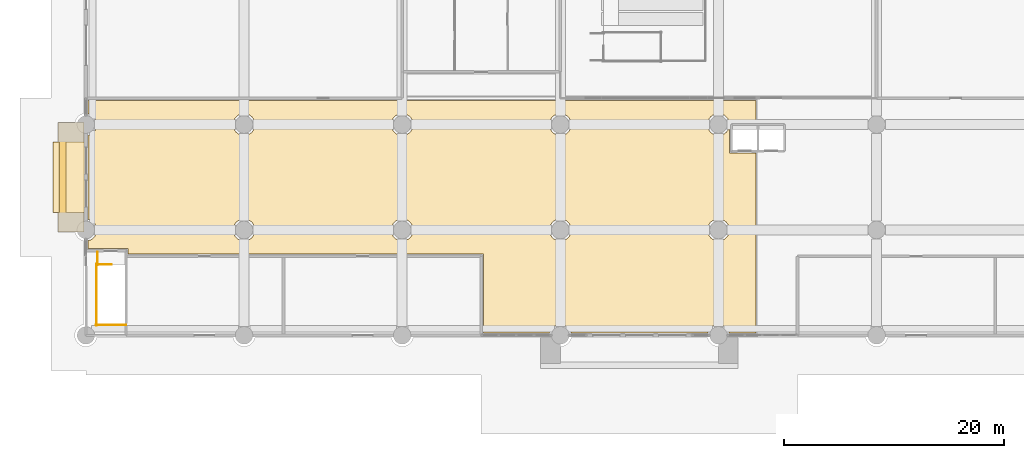
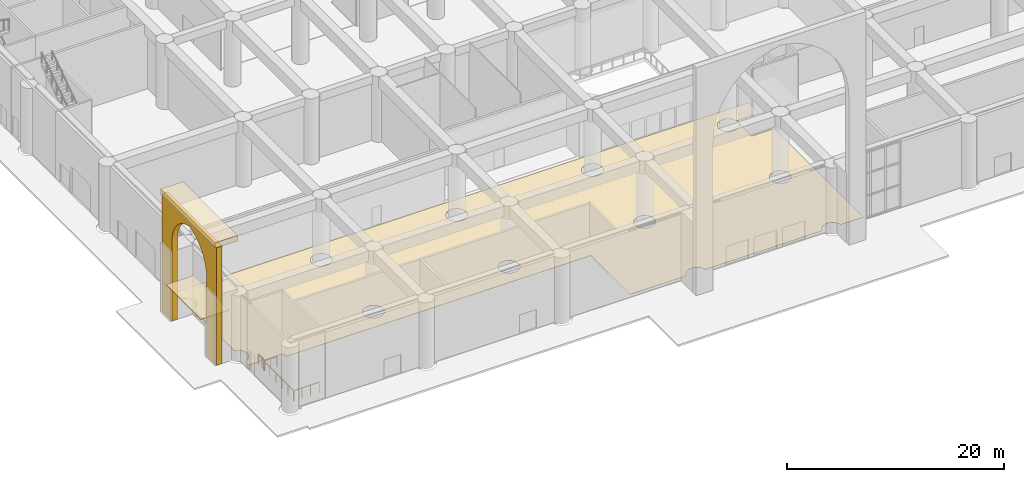
# One storey, part 23 of 32: 4 coverings, 4 railings.
"""IFC4 building model written with IfcOpenShell, lengths in metres."""

from ifc_helpers import new_model, si_unit, direction, frame, origin, origin_2d, place, context, subcontext, project, spatial, polyline, circle, outline, extrude, material, layer, layer_set, type_object, element, save


model = new_model("IFC4")

# Units and contexts
model_context = context("Model", 3, precision=1e-05, world=origin(), true_north=direction((0.0, 1.0)))
body_context = subcontext(model_context, "Body", "Model", "MODEL_VIEW")
ifc_project = project(units=[si_unit("LENGTHUNIT", "METRE"), si_unit("AREAUNIT", "SQUARE_METRE"), si_unit("VOLUMEUNIT", "CUBIC_METRE"), si_unit("PLANEANGLEUNIT", "RADIAN"), si_unit("MASSUNIT", "GRAM", prefix="KILO")], contexts=[model_context])

# Site, building, storey
site_placement = place(None, origin())
site = spatial("IfcSite", under=ifc_project, at=site_placement, CompositionType="ELEMENT")
building_placement = place(site_placement, origin())
building = spatial("IfcBuilding", under=site, at=building_placement, Name="Saffron Iwan Residences", CompositionType="ELEMENT")
storey_placement = place(building_placement, origin())
storey = spatial("IfcBuildingStorey", under=building, at=storey_placement, Name="L00", CompositionType="ELEMENT", Elevation=0.0)

# Coverings
ifc_material_1 = material(Name="Clear glass", Category="glass")
ifc_layer_1 = layer(ifc_material_1, 0.1201171875)
ifc_layer_set_1 = layer_set([ifc_layer_1], Name="Clear glass")
covering_type_1 = type_object("IfcCoveringType", Name="Entrance canopy, glass on steel", PredefinedType="CLADDING", material=ifc_layer_set_1)
covering_1_placement = place(storey_placement, frame((0.0, 0.0, 4.199951171875)))
element("IfcCovering", 1, at=covering_1_placement, inside=storey, type_object=covering_type_1, Name="Station entrance canopy", PredefinedType="CLADDING", context=body_context, shape_type="SweptSolid", body=[
    extrude(outline(polyline([(-3.0, 11.199951171875), (0.0, 11.199951171875), (0.0, 17.60009765625), (-3.0, 17.60009765625), (-3.0, 11.199951171875)])), origin(), (0.0, 0.0, 1.0), 0.1201171875),
])
ifc_material_2 = material(Name="Granite flooring", Category="masonry")
ifc_layer_2 = layer(ifc_material_2, 0.030029296875)
ifc_layer_set_2 = layer_set([ifc_layer_2], Name="Granite flooring")
covering_type_2 = type_object("IfcCoveringType", Name="Granite flooring 30", PredefinedType="FLOORING", material=ifc_layer_set_2)
covering_2_placement = place(storey_placement, origin())
element("IfcCovering", 2, at=covering_2_placement, inside=storey, type_object=covering_type_2, Name="Concourse flooring", PredefinedType="FLOORING", context=body_context, shape_type="SweptSolid", body=[
    extrude(outline(polyline([(0.199951171875, 7.89990234375), (0.199951171875, 8.6201171875), (0.2900390625, 8.64306640625), (0.383056640625, 8.676025390625), (0.470947265625, 8.718017578125), (0.555908203125, 8.76904296875), (0.634033203125, 8.826904296875), (0.70703125, 8.89306640625), (0.77294921875, 8.966064453125), (0.8310546875, 9.0439453125), (0.882080078125, 9.12890625), (0.924072265625, 9.217041015625), (0.95703125, 9.31005859375), (0.98095703125, 9.405029296875), (0.9951171875, 9.501953125), (1.0, 9.60009765625), (0.9951171875, 9.697998046875), (0.98095703125, 9.794921875), (0.95703125, 9.889892578125), (0.924072265625, 9.98291015625), (0.882080078125, 10.071044921875), (0.8310546875, 10.156005859375), (0.77294921875, 10.23388671875), (0.70703125, 10.306884765625), (0.634033203125, 10.373046875), (0.555908203125, 10.430908203125), (0.470947265625, 10.48193359375), (0.383056640625, 10.52392578125), (0.2900390625, 10.556884765625), (0.199951171875, 10.580078125), (0.199951171875, 18.219970703125), (0.2900390625, 18.242919921875), (0.383056640625, 18.27587890625), (0.470947265625, 18.318115234375), (0.555908203125, 18.368896484375), (0.634033203125, 18.427001953125), (0.70703125, 18.492919921875), (0.77294921875, 18.56591796875), (0.8310546875, 18.64404296875), (0.882080078125, 18.72900390625), (0.924072265625, 18.81689453125), (0.95703125, 18.909912109375), (0.98095703125, 19.0048828125), (0.9951171875, 19.10205078125), (1.0, 19.199951171875), (0.9951171875, 19.298095703125), (0.98095703125, 19.39501953125), (0.95703125, 19.489990234375), (0.924072265625, 19.5830078125), (0.882080078125, 19.6708984375), (0.8310546875, 19.756103515625), (0.77294921875, 19.833984375), (0.70703125, 19.906982421875), (0.634033203125, 19.972900390625), (0.555908203125, 20.031005859375), (0.470947265625, 20.08203125), (0.383056640625, 20.1240234375), (0.2900390625, 20.156982421875), (0.199951171875, 20.179931640625), (0.199951171875, 21.39990234375), (61.0, 21.39990234375), (61.0, 19.39990234375), (58.60009765625, 19.39990234375), (58.60009765625, 19.300048828125), (58.594970703125, 19.300048828125), (58.5810546875, 19.39501953125), (58.556884765625, 19.489990234375), (58.52392578125, 19.5830078125), (58.48193359375, 19.6708984375), (58.430908203125, 19.756103515625), (58.373046875, 19.833984375), (58.306884765625, 19.906982421875), (58.23388671875, 19.972900390625), (58.156005859375, 20.031005859375), (58.071044921875, 20.08203125), (57.98291015625, 20.1240234375), (57.889892578125, 20.156982421875), (57.794921875, 20.180908203125), (57.697998046875, 20.195068359375), (57.60009765625, 20.199951171875), (57.501953125, 20.195068359375), (57.405029296875, 20.180908203125), (57.31005859375, 20.156982421875), (57.217041015625, 20.1240234375), (57.12890625, 20.08203125), (57.0439453125, 20.031005859375), (56.966064453125, 19.972900390625), (56.89306640625, 19.906982421875), (56.826904296875, 19.833984375), (56.76904296875, 19.756103515625), (56.718017578125, 19.6708984375), (56.676025390625, 19.5830078125), (56.64306640625, 19.489990234375), (56.618896484375, 19.39501953125), (56.60498046875, 19.298095703125), (56.60009765625, 19.199951171875), (56.60498046875, 19.10205078125), (56.618896484375, 19.0048828125), (56.64306640625, 18.909912109375), (56.676025390625, 18.81689453125), (56.718017578125, 18.72900390625), (56.76904296875, 18.64404296875), (56.826904296875, 18.56591796875), (56.89306640625, 18.492919921875), (56.966064453125, 18.427001953125), (57.0439453125, 18.368896484375), (57.12890625, 18.318115234375), (57.217041015625, 18.27587890625), (57.31005859375, 18.242919921875), (57.405029296875, 18.218994140625), (57.501953125, 18.205078125), (57.60009765625, 18.199951171875), (57.697998046875, 18.205078125), (57.794921875, 18.218994140625), (57.889892578125, 18.242919921875), (57.98291015625, 18.27587890625), (58.071044921875, 18.318115234375), (58.156005859375, 18.368896484375), (58.23388671875, 18.427001953125), (58.306884765625, 18.492919921875), (58.373046875, 18.56591796875), (58.430908203125, 18.64404296875), (58.48193359375, 18.72900390625), (58.52392578125, 18.81689453125), (58.556884765625, 18.909912109375), (58.5810546875, 19.0048828125), (58.594970703125, 19.10009765625), (58.60009765625, 19.10009765625), (58.60009765625, 16.60009765625), (61.0, 16.60009765625), (61.0, 0.199951171875), (58.580078125, 0.199951171875), (58.556884765625, 0.2900390625), (58.52392578125, 0.383056640625), (58.48193359375, 0.470947265625), (58.430908203125, 0.555908203125), (58.373046875, 0.634033203125), (58.306884765625, 0.70703125), (58.23388671875, 0.77294921875), (58.156005859375, 0.8310546875), (58.071044921875, 0.882080078125), (57.98291015625, 0.924072265625), (57.889892578125, 0.95703125), (57.794921875, 0.98095703125), (57.697998046875, 0.9951171875), (57.60009765625, 1.0), (57.501953125, 0.9951171875), (57.405029296875, 0.98095703125), (57.31005859375, 0.95703125), (57.217041015625, 0.924072265625), (57.12890625, 0.882080078125), (57.0439453125, 0.8310546875), (56.966064453125, 0.77294921875), (56.89306640625, 0.70703125), (56.826904296875, 0.634033203125), (56.76904296875, 0.555908203125), (56.718017578125, 0.470947265625), (56.676025390625, 0.383056640625), (56.64306640625, 0.2900390625), (56.6201171875, 0.199951171875), (44.179931640625, 0.199951171875), (44.156982421875, 0.2900390625), (44.1240234375, 0.383056640625), (44.08203125, 0.470947265625), (44.031005859375, 0.555908203125), (43.972900390625, 0.634033203125), (43.906982421875, 0.70703125), (43.833984375, 0.77294921875), (43.756103515625, 0.8310546875), (43.6708984375, 0.882080078125), (43.5830078125, 0.924072265625), (43.489990234375, 0.95703125), (43.39501953125, 0.98095703125), (43.298095703125, 0.9951171875), (43.199951171875, 1.0), (43.10205078125, 0.9951171875), (43.0048828125, 0.98095703125), (42.909912109375, 0.95703125), (42.81689453125, 0.924072265625), (42.72900390625, 0.882080078125), (42.64404296875, 0.8310546875), (42.56591796875, 0.77294921875), (42.492919921875, 0.70703125), (42.427001953125, 0.634033203125), (42.368896484375, 0.555908203125), (42.318115234375, 0.470947265625), (42.27587890625, 0.383056640625), (42.242919921875, 0.2900390625), (42.219970703125, 0.199951171875), (36.199951171875, 0.199951171875), (36.199951171875, 7.39990234375), (3.85009765625, 7.39990234375), (3.85009765625, 7.89990234375), (0.199951171875, 7.89990234375)]), holes=[polyline([(58.52392578125, 9.217041015625), (58.556884765625, 9.31005859375), (58.5810546875, 9.405029296875), (58.594970703125, 9.501953125), (58.60009765625, 9.60009765625), (58.594970703125, 9.697998046875), (58.5810546875, 9.794921875), (58.556884765625, 9.889892578125), (58.52392578125, 9.98291015625), (58.48193359375, 10.071044921875), (58.430908203125, 10.156005859375), (58.373046875, 10.23388671875), (58.306884765625, 10.306884765625), (58.23388671875, 10.373046875), (58.156005859375, 10.430908203125), (58.071044921875, 10.48193359375), (57.98291015625, 10.52392578125), (57.889892578125, 10.556884765625), (57.794921875, 10.5810546875), (57.697998046875, 10.594970703125), (57.60009765625, 10.60009765625), (57.501953125, 10.594970703125), (57.405029296875, 10.5810546875), (57.31005859375, 10.556884765625), (57.217041015625, 10.52392578125), (57.12890625, 10.48193359375), (57.0439453125, 10.430908203125), (56.966064453125, 10.373046875), (56.89306640625, 10.306884765625), (56.826904296875, 10.23388671875), (56.76904296875, 10.156005859375), (56.718017578125, 10.071044921875), (56.676025390625, 9.98291015625), (56.64306640625, 9.889892578125), (56.618896484375, 9.794921875), (56.60498046875, 9.697998046875), (56.60009765625, 9.60009765625), (56.60498046875, 9.501953125), (56.618896484375, 9.405029296875), (56.64306640625, 9.31005859375), (56.676025390625, 9.217041015625), (56.718017578125, 9.12890625), (56.76904296875, 9.0439453125), (56.826904296875, 8.966064453125), (56.89306640625, 8.89306640625), (56.966064453125, 8.826904296875), (57.0439453125, 8.76904296875), (57.12890625, 8.718017578125), (57.217041015625, 8.676025390625), (57.31005859375, 8.64306640625), (57.405029296875, 8.618896484375), (57.501953125, 8.60498046875), (57.60009765625, 8.60009765625), (57.697998046875, 8.60498046875), (57.794921875, 8.618896484375), (57.889892578125, 8.64306640625), (57.98291015625, 8.676025390625), (58.071044921875, 8.718017578125), (58.156005859375, 8.76904296875), (58.23388671875, 8.826904296875), (58.306884765625, 8.89306640625), (58.373046875, 8.966064453125), (58.430908203125, 9.0439453125), (58.48193359375, 9.12890625), (58.52392578125, 9.217041015625)]), polyline([(44.1240234375, 9.217041015625), (44.156982421875, 9.31005859375), (44.180908203125, 9.405029296875), (44.195068359375, 9.501953125), (44.199951171875, 9.60009765625), (44.195068359375, 9.697998046875), (44.180908203125, 9.794921875), (44.156982421875, 9.889892578125), (44.1240234375, 9.98291015625), (44.08203125, 10.071044921875), (44.031005859375, 10.156005859375), (43.972900390625, 10.23388671875), (43.906982421875, 10.306884765625), (43.833984375, 10.373046875), (43.756103515625, 10.430908203125), (43.6708984375, 10.48193359375), (43.5830078125, 10.52392578125), (43.489990234375, 10.556884765625), (43.39501953125, 10.5810546875), (43.298095703125, 10.594970703125), (43.199951171875, 10.60009765625), (43.10205078125, 10.594970703125), (43.0048828125, 10.5810546875), (42.909912109375, 10.556884765625), (42.81689453125, 10.52392578125), (42.72900390625, 10.48193359375), (42.64404296875, 10.430908203125), (42.56591796875, 10.373046875), (42.492919921875, 10.306884765625), (42.427001953125, 10.23388671875), (42.368896484375, 10.156005859375), (42.318115234375, 10.071044921875), (42.27587890625, 9.98291015625), (42.242919921875, 9.889892578125), (42.218994140625, 9.794921875), (42.205078125, 9.697998046875), (42.199951171875, 9.60009765625), (42.205078125, 9.501953125), (42.218994140625, 9.405029296875), (42.242919921875, 9.31005859375), (42.27587890625, 9.217041015625), (42.318115234375, 9.12890625), (42.368896484375, 9.0439453125), (42.427001953125, 8.966064453125), (42.492919921875, 8.89306640625), (42.56591796875, 8.826904296875), (42.64404296875, 8.76904296875), (42.72900390625, 8.718017578125), (42.81689453125, 8.676025390625), (42.909912109375, 8.64306640625), (43.0048828125, 8.618896484375), (43.10205078125, 8.60498046875), (43.199951171875, 8.60009765625), (43.298095703125, 8.60498046875), (43.39501953125, 8.618896484375), (43.489990234375, 8.64306640625), (43.5830078125, 8.676025390625), (43.6708984375, 8.718017578125), (43.756103515625, 8.76904296875), (43.833984375, 8.826904296875), (43.906982421875, 8.89306640625), (43.972900390625, 8.966064453125), (44.031005859375, 9.0439453125), (44.08203125, 9.12890625), (44.1240234375, 9.217041015625)]), polyline([(44.1240234375, 18.81689453125), (44.156982421875, 18.909912109375), (44.180908203125, 19.0048828125), (44.195068359375, 19.10205078125), (44.199951171875, 19.199951171875), (44.195068359375, 19.298095703125), (44.180908203125, 19.39501953125), (44.156982421875, 19.489990234375), (44.1240234375, 19.5830078125), (44.08203125, 19.6708984375), (44.031005859375, 19.756103515625), (43.972900390625, 19.833984375), (43.906982421875, 19.906982421875), (43.833984375, 19.972900390625), (43.756103515625, 20.031005859375), (43.6708984375, 20.08203125), (43.5830078125, 20.1240234375), (43.489990234375, 20.156982421875), (43.39501953125, 20.180908203125), (43.298095703125, 20.195068359375), (43.199951171875, 20.199951171875), (43.10205078125, 20.195068359375), (43.0048828125, 20.180908203125), (42.909912109375, 20.156982421875), (42.81689453125, 20.1240234375), (42.72900390625, 20.08203125), (42.64404296875, 20.031005859375), (42.56591796875, 19.972900390625), (42.492919921875, 19.906982421875), (42.427001953125, 19.833984375), (42.368896484375, 19.756103515625), (42.318115234375, 19.6708984375), (42.27587890625, 19.5830078125), (42.242919921875, 19.489990234375), (42.218994140625, 19.39501953125), (42.205078125, 19.298095703125), (42.199951171875, 19.199951171875), (42.205078125, 19.10205078125), (42.218994140625, 19.0048828125), (42.242919921875, 18.909912109375), (42.27587890625, 18.81689453125), (42.318115234375, 18.72900390625), (42.368896484375, 18.64404296875), (42.427001953125, 18.56591796875), (42.492919921875, 18.492919921875), (42.56591796875, 18.427001953125), (42.64404296875, 18.368896484375), (42.72900390625, 18.318115234375), (42.81689453125, 18.27587890625), (42.909912109375, 18.242919921875), (43.0048828125, 18.218994140625), (43.10205078125, 18.205078125), (43.199951171875, 18.199951171875), (43.298095703125, 18.205078125), (43.39501953125, 18.218994140625), (43.489990234375, 18.242919921875), (43.5830078125, 18.27587890625), (43.6708984375, 18.318115234375), (43.756103515625, 18.368896484375), (43.833984375, 18.427001953125), (43.906982421875, 18.492919921875), (43.972900390625, 18.56591796875), (44.031005859375, 18.64404296875), (44.08203125, 18.72900390625), (44.1240234375, 18.81689453125)]), polyline([(29.72412109375, 9.217041015625), (29.757080078125, 9.31005859375), (29.781005859375, 9.405029296875), (29.794921875, 9.501953125), (29.800048828125, 9.60009765625), (29.794921875, 9.697998046875), (29.781005859375, 9.794921875), (29.757080078125, 9.889892578125), (29.72412109375, 9.98291015625), (29.681884765625, 10.071044921875), (29.631103515625, 10.156005859375), (29.572998046875, 10.23388671875), (29.507080078125, 10.306884765625), (29.43408203125, 10.373046875), (29.35595703125, 10.430908203125), (29.27099609375, 10.48193359375), (29.18310546875, 10.52392578125), (29.090087890625, 10.556884765625), (28.9951171875, 10.5810546875), (28.89794921875, 10.594970703125), (28.800048828125, 10.60009765625), (28.701904296875, 10.594970703125), (28.60498046875, 10.5810546875), (28.510009765625, 10.556884765625), (28.4169921875, 10.52392578125), (28.3291015625, 10.48193359375), (28.243896484375, 10.430908203125), (28.166015625, 10.373046875), (28.093017578125, 10.306884765625), (28.027099609375, 10.23388671875), (27.968994140625, 10.156005859375), (27.91796875, 10.071044921875), (27.8759765625, 9.98291015625), (27.843017578125, 9.889892578125), (27.819091796875, 9.794921875), (27.804931640625, 9.697998046875), (27.800048828125, 9.60009765625), (27.804931640625, 9.501953125), (27.819091796875, 9.405029296875), (27.843017578125, 9.31005859375), (27.8759765625, 9.217041015625), (27.91796875, 9.12890625), (27.968994140625, 9.0439453125), (28.027099609375, 8.966064453125), (28.093017578125, 8.89306640625), (28.166015625, 8.826904296875), (28.243896484375, 8.76904296875), (28.3291015625, 8.718017578125), (28.4169921875, 8.676025390625), (28.510009765625, 8.64306640625), (28.60498046875, 8.618896484375), (28.701904296875, 8.60498046875), (28.800048828125, 8.60009765625), (28.89794921875, 8.60498046875), (28.9951171875, 8.618896484375), (29.090087890625, 8.64306640625), (29.18310546875, 8.676025390625), (29.27099609375, 8.718017578125), (29.35595703125, 8.76904296875), (29.43408203125, 8.826904296875), (29.507080078125, 8.89306640625), (29.572998046875, 8.966064453125), (29.631103515625, 9.0439453125), (29.681884765625, 9.12890625), (29.72412109375, 9.217041015625)]), polyline([(29.72412109375, 18.81689453125), (29.757080078125, 18.909912109375), (29.781005859375, 19.0048828125), (29.794921875, 19.10205078125), (29.800048828125, 19.199951171875), (29.794921875, 19.298095703125), (29.781005859375, 19.39501953125), (29.757080078125, 19.489990234375), (29.72412109375, 19.5830078125), (29.681884765625, 19.6708984375), (29.631103515625, 19.756103515625), (29.572998046875, 19.833984375), (29.507080078125, 19.906982421875), (29.43408203125, 19.972900390625), (29.35595703125, 20.031005859375), (29.27099609375, 20.08203125), (29.18310546875, 20.1240234375), (29.090087890625, 20.156982421875), (28.9951171875, 20.180908203125), (28.89794921875, 20.195068359375), (28.800048828125, 20.199951171875), (28.701904296875, 20.195068359375), (28.60498046875, 20.180908203125), (28.510009765625, 20.156982421875), (28.4169921875, 20.1240234375), (28.3291015625, 20.08203125), (28.243896484375, 20.031005859375), (28.166015625, 19.972900390625), (28.093017578125, 19.906982421875), (28.027099609375, 19.833984375), (27.968994140625, 19.756103515625), (27.91796875, 19.6708984375), (27.8759765625, 19.5830078125), (27.843017578125, 19.489990234375), (27.819091796875, 19.39501953125), (27.804931640625, 19.298095703125), (27.800048828125, 19.199951171875), (27.804931640625, 19.10205078125), (27.819091796875, 19.0048828125), (27.843017578125, 18.909912109375), (27.8759765625, 18.81689453125), (27.91796875, 18.72900390625), (27.968994140625, 18.64404296875), (28.027099609375, 18.56591796875), (28.093017578125, 18.492919921875), (28.166015625, 18.427001953125), (28.243896484375, 18.368896484375), (28.3291015625, 18.318115234375), (28.4169921875, 18.27587890625), (28.510009765625, 18.242919921875), (28.60498046875, 18.218994140625), (28.701904296875, 18.205078125), (28.800048828125, 18.199951171875), (28.89794921875, 18.205078125), (28.9951171875, 18.218994140625), (29.090087890625, 18.242919921875), (29.18310546875, 18.27587890625), (29.27099609375, 18.318115234375), (29.35595703125, 18.368896484375), (29.43408203125, 18.427001953125), (29.507080078125, 18.492919921875), (29.572998046875, 18.56591796875), (29.631103515625, 18.64404296875), (29.681884765625, 18.72900390625), (29.72412109375, 18.81689453125)]), polyline([(15.323974609375, 9.217041015625), (15.35693359375, 9.31005859375), (15.381103515625, 9.405029296875), (15.39501953125, 9.501953125), (15.39990234375, 9.60009765625), (15.39501953125, 9.697998046875), (15.381103515625, 9.794921875), (15.35693359375, 9.889892578125), (15.323974609375, 9.98291015625), (15.281982421875, 10.071044921875), (15.23095703125, 10.156005859375), (15.173095703125, 10.23388671875), (15.10693359375, 10.306884765625), (15.033935546875, 10.373046875), (14.9560546875, 10.430908203125), (14.87109375, 10.48193359375), (14.782958984375, 10.52392578125), (14.68994140625, 10.556884765625), (14.594970703125, 10.5810546875), (14.498046875, 10.594970703125), (14.39990234375, 10.60009765625), (14.302001953125, 10.594970703125), (14.205078125, 10.5810546875), (14.110107421875, 10.556884765625), (14.01708984375, 10.52392578125), (13.928955078125, 10.48193359375), (13.843994140625, 10.430908203125), (13.76611328125, 10.373046875), (13.693115234375, 10.306884765625), (13.626953125, 10.23388671875), (13.569091796875, 10.156005859375), (13.51806640625, 10.071044921875), (13.47607421875, 9.98291015625), (13.443115234375, 9.889892578125), (13.4189453125, 9.794921875), (13.405029296875, 9.697998046875), (13.39990234375, 9.60009765625), (13.405029296875, 9.501953125), (13.4189453125, 9.405029296875), (13.443115234375, 9.31005859375), (13.47607421875, 9.217041015625), (13.51806640625, 9.12890625), (13.569091796875, 9.0439453125), (13.626953125, 8.966064453125), (13.693115234375, 8.89306640625), (13.76611328125, 8.826904296875), (13.843994140625, 8.76904296875), (13.928955078125, 8.718017578125), (14.01708984375, 8.676025390625), (14.110107421875, 8.64306640625), (14.205078125, 8.618896484375), (14.302001953125, 8.60498046875), (14.39990234375, 8.60009765625), (14.498046875, 8.60498046875), (14.594970703125, 8.618896484375), (14.68994140625, 8.64306640625), (14.782958984375, 8.676025390625), (14.87109375, 8.718017578125), (14.9560546875, 8.76904296875), (15.033935546875, 8.826904296875), (15.10693359375, 8.89306640625), (15.173095703125, 8.966064453125), (15.23095703125, 9.0439453125), (15.281982421875, 9.12890625), (15.323974609375, 9.217041015625)]), polyline([(15.323974609375, 18.81689453125), (15.35693359375, 18.909912109375), (15.381103515625, 19.0048828125), (15.39501953125, 19.10205078125), (15.39990234375, 19.199951171875), (15.39501953125, 19.298095703125), (15.381103515625, 19.39501953125), (15.35693359375, 19.489990234375), (15.323974609375, 19.5830078125), (15.281982421875, 19.6708984375), (15.23095703125, 19.756103515625), (15.173095703125, 19.833984375), (15.10693359375, 19.906982421875), (15.033935546875, 19.972900390625), (14.9560546875, 20.031005859375), (14.87109375, 20.08203125), (14.782958984375, 20.1240234375), (14.68994140625, 20.156982421875), (14.594970703125, 20.180908203125), (14.498046875, 20.195068359375), (14.39990234375, 20.199951171875), (14.302001953125, 20.195068359375), (14.205078125, 20.180908203125), (14.110107421875, 20.156982421875), (14.01708984375, 20.1240234375), (13.928955078125, 20.08203125), (13.843994140625, 20.031005859375), (13.76611328125, 19.972900390625), (13.693115234375, 19.906982421875), (13.626953125, 19.833984375), (13.569091796875, 19.756103515625), (13.51806640625, 19.6708984375), (13.47607421875, 19.5830078125), (13.443115234375, 19.489990234375), (13.4189453125, 19.39501953125), (13.405029296875, 19.298095703125), (13.39990234375, 19.199951171875), (13.405029296875, 19.10205078125), (13.4189453125, 19.0048828125), (13.443115234375, 18.909912109375), (13.47607421875, 18.81689453125), (13.51806640625, 18.72900390625), (13.569091796875, 18.64404296875), (13.626953125, 18.56591796875), (13.693115234375, 18.492919921875), (13.76611328125, 18.427001953125), (13.843994140625, 18.368896484375), (13.928955078125, 18.318115234375), (14.01708984375, 18.27587890625), (14.110107421875, 18.242919921875), (14.205078125, 18.218994140625), (14.302001953125, 18.205078125), (14.39990234375, 18.199951171875), (14.498046875, 18.205078125), (14.594970703125, 18.218994140625), (14.68994140625, 18.242919921875), (14.782958984375, 18.27587890625), (14.87109375, 18.318115234375), (14.9560546875, 18.368896484375), (15.033935546875, 18.427001953125), (15.10693359375, 18.492919921875), (15.173095703125, 18.56591796875), (15.23095703125, 18.64404296875), (15.281982421875, 18.72900390625), (15.323974609375, 18.81689453125)])]), origin(), (0.0, 0.0, 1.0), 0.030029296875),
])

# Railings
ifc_material_3 = material(Name="Steel S355", Category="steel")
railing_type = type_object("IfcRailingType", Name="Podium stair guard 1150", PredefinedType="GUARDRAIL", material=ifc_material_3)
railing_1_placement = place(storey_placement, frame((1.0, 6.449951171875, 0.0)))
element("IfcRailing", 3, at=railing_1_placement, inside=storey, type_object=railing_type, Name="L00 SE1 top well guard 1", PredefinedType="GUARDRAIL", context=body_context, shape_type="SweptSolid", body=[
    extrude(circle(Radius=0.02392578125, at=origin_2d()), frame((0.0, 0.0, 1.1259765625), z_axis=(1.0, 0.0, 0.0), x_axis=(0.0, 1.0, 0.0)), (0.0, 0.0, 1.0), 1.35009765625),
    extrude(circle(Radius=0.02099609375, at=origin_2d()), origin(), (0.0, 0.0, 1.0), 1.101806640625),
    extrude(circle(Radius=0.02099609375, at=origin_2d()), frame((0.675048828125, 0.0, 0.0)), (0.0, 0.0, 1.0), 1.101806640625),
    extrude(circle(Radius=0.02099609375, at=origin_2d()), frame((1.35009765625, 0.0, 0.0)), (0.0, 0.0, 1.0), 1.101806640625),
])
railing_2_placement = place(storey_placement, frame((0.949951171875, 6.5, 0.0)))
element("IfcRailing", 4, at=railing_2_placement, inside=storey, type_object=railing_type, Name="L00 SE1 top well guard 2", PredefinedType="GUARDRAIL", context=body_context, shape_type="SweptSolid", body=[
    extrude(circle(Radius=0.02392578125, at=origin_2d()), frame((0.0, 0.0, 1.1259765625), z_axis=(0.0, -1.0, 0.0), x_axis=(1.0, 0.0, 0.0)), (0.0, 0.0, 1.0), 5.60009765625),
    extrude(circle(Radius=0.02099609375, at=origin_2d()), origin(), (0.0, 0.0, 1.0), 1.101806640625),
    extrude(circle(Radius=0.02099609375, at=origin_2d()), frame((0.0, -1.1201171875, 0.0)), (0.0, 0.0, 1.0), 1.101806640625),
    extrude(circle(Radius=0.02099609375, at=origin_2d()), frame((0.0, -2.239990234375, 0.0)), (0.0, 0.0, 1.0), 1.101806640625),
    extrude(circle(Radius=0.02099609375, at=origin_2d()), frame((0.0, -3.360107421875, 0.0)), (0.0, 0.0, 1.0), 1.101806640625),
    extrude(circle(Radius=0.02099609375, at=origin_2d()), frame((0.0, -4.47998046875, 0.0)), (0.0, 0.0, 1.0), 1.101806640625),
    extrude(circle(Radius=0.02099609375, at=origin_2d()), frame((0.0, -5.60009765625, 0.0)), (0.0, 0.0, 1.0), 1.101806640625),
])
railing_3_placement = place(storey_placement, frame((0.89990234375, 0.949951171875, 0.0)))
element("IfcRailing", 5, at=railing_3_placement, inside=storey, type_object=railing_type, Name="L00 SE1 top well guard 3", PredefinedType="GUARDRAIL", context=body_context, shape_type="SweptSolid", body=[
    extrude(circle(Radius=0.02392578125, at=origin_2d()), frame((0.0, 0.0, 1.1259765625), z_axis=(1.0, 0.0, 0.0), x_axis=(0.0, 1.0, 0.0)), (0.0, 0.0, 1.0), 2.75),
    extrude(circle(Radius=0.02099609375, at=origin_2d()), origin(), (0.0, 0.0, 1.0), 1.101806640625),
    extrude(circle(Radius=0.02099609375, at=origin_2d()), frame((0.916748046875, 0.0, 0.0)), (0.0, 0.0, 1.0), 1.101806640625),
    extrude(circle(Radius=0.02099609375, at=origin_2d()), frame((1.833251953125, 0.0, 0.0)), (0.0, 0.0, 1.0), 1.101806640625),
    extrude(circle(Radius=0.02099609375, at=origin_2d()), frame((2.75, 0.0, 0.0)), (0.0, 0.0, 1.0), 1.101806640625),
])
railing_4_placement = place(storey_placement, frame((1.050048828125, 7.60009765625, 0.0)))
element("IfcRailing", 6, at=railing_4_placement, inside=storey, type_object=railing_type, Name="L00 SE1 top well guard 4", PredefinedType="GUARDRAIL", context=body_context, shape_type="SweptSolid", body=[
    extrude(circle(Radius=0.02392578125, at=origin_2d()), frame((0.0, 0.0, 1.1259765625), z_axis=(0.0, -1.0, 0.0), x_axis=(1.0, 0.0, 0.0)), (0.0, 0.0, 1.0), 1.2001953125),
    extrude(circle(Radius=0.02099609375, at=origin_2d()), origin(), (0.0, 0.0, 1.0), 1.101806640625),
    extrude(circle(Radius=0.02099609375, at=origin_2d()), frame((0.0, -0.60009765625, 0.0)), (0.0, 0.0, 1.0), 1.101806640625),
    extrude(circle(Radius=0.02099609375, at=origin_2d()), frame((0.0, -1.2001953125, 0.0)), (0.0, 0.0, 1.0), 1.101806640625),
])

# Coverings
ifc_material_4 = material(Name="Terracotta coloured precast concrete C40/50", Category="masonry")
ifc_layer_3 = layer(ifc_material_4, 0.60009765625)
ifc_layer_set_3 = layer_set([ifc_layer_3], Name="Terracotta coloured precast concrete C40/50")
covering_type_3 = type_object("IfcCoveringType", Name="Portal arch, precast concrete", PredefinedType="CLADDING", material=ifc_layer_set_3)
covering_3_placement = place(storey_placement, frame((-2.39990234375, 9.39990234375, 0.0), z_axis=(-1.0, 0.0, 0.0), x_axis=(0.0, 0.0, 1.0)))
element("IfcCovering", 7, at=covering_3_placement, inside=storey, type_object=covering_type_3, Name="PORTAL ARCH END", PredefinedType="CLADDING", context=body_context, shape_type="SweptSolid", body=[
    extrude(outline(polyline([(0.0, 0.0), (13.199951171875, 0.0), (13.199951171875, 10.0), (0.0, 10.0), (0.0, 8.2001953125), (8.800048828125, 8.2001953125), (9.470947265625, 8.14111328125), (10.1220703125, 7.966064453125), (10.73291015625, 7.68115234375), (11.283935546875, 7.293212890625), (11.760009765625, 6.816162109375), (12.14501953125, 6.26318359375), (12.427978515625, 5.651123046875), (12.60009765625, 5.0), (12.427978515625, 4.34912109375), (12.14501953125, 3.737060546875), (11.760009765625, 3.18408203125), (11.283935546875, 2.70703125), (10.73291015625, 2.319091796875), (10.1220703125, 2.0341796875), (9.470947265625, 1.859130859375), (8.800048828125, 1.800048828125), (0.0, 1.800048828125), (0.0, 0.0)])), origin(), (0.0, 0.0, -1.0), 0.60009765625),
])
ifc_layer_4 = layer(ifc_material_4, 0.60009765625)
ifc_layer_set_4 = layer_set([ifc_layer_4], Name="Terracotta coloured precast concrete C40/50")
covering_type_4 = type_object("IfcCoveringType", Name="Portal porch roof, precast concrete", PredefinedType="CLADDING", material=ifc_layer_set_4)
covering_4_placement = place(storey_placement, frame((0.0, 0.0, 13.199951171875)))
element("IfcCovering", 8, at=covering_4_placement, inside=storey, type_object=covering_type_4, Name="PORTAL PORCH ROOF END", PredefinedType="CLADDING", context=body_context, shape_type="SweptSolid", body=[
    extrude(outline(polyline([(-0.14990234375, 9.39990234375), (-0.14990234375, 19.39990234375), (-2.550048828125, 19.39990234375), (-2.550048828125, 9.39990234375), (-0.14990234375, 9.39990234375)])), origin(), (0.0, 0.0, 1.0), 0.60009765625),
])

save(model, "model.ifc")
